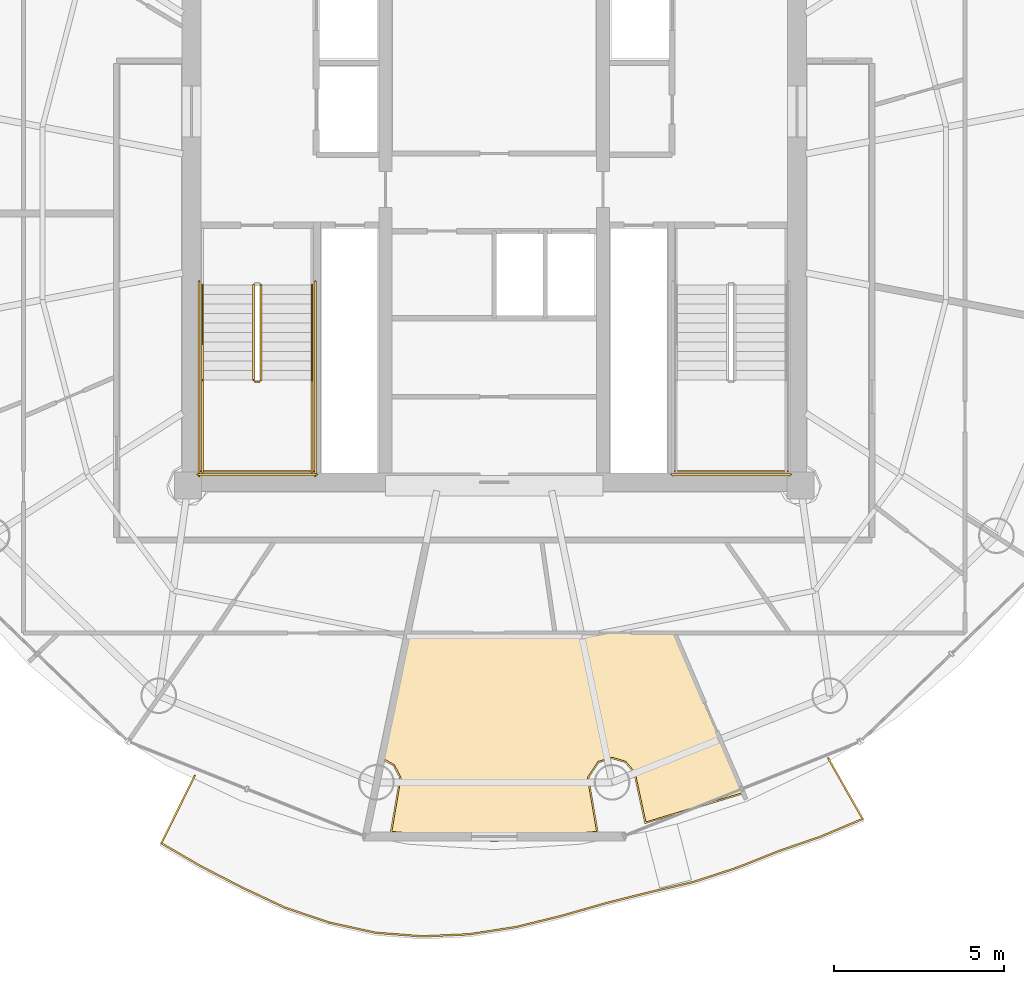
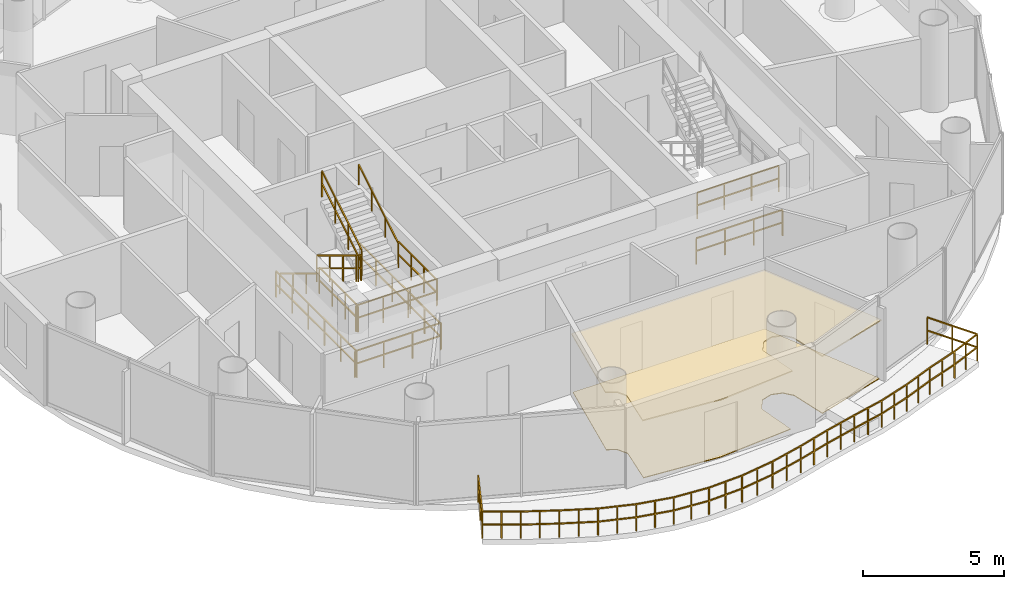
# One storey, part 21 of 23: 14 railings, 2 coverings.
"""IFC4 building model written with IfcOpenShell, lengths in metres."""

import ifcopenshell
import ifcopenshell.guid

model = None  # the IFC model being written
_history = None  # IfcOwnerHistory: only IFC2X3 demands one
_inside = {}  # id of a spatial element -> (the spatial element, [elements in it])
_under = {}  # id of a project, library or spatial element -> (it, [spatial elements below it])
_declared = {}  # id of a project -> (the project, [libraries it declares])
_typed = {}  # id of a type object -> (the type object, [elements of that type])
_made_of = {}  # id of a material, layer set ... -> (it, [elements and type objects made of it])


def new_model(schema):
    """Start an empty IFC model of exactly this schema.

    Asked for "IFC4X3", IfcOpenShell would pick the latest addendum, in which some entities
    have other attributes; the version numbers below select the first issue.
    IFC2X3 requires an IfcOwnerHistory on every rooted entity: one is made here for all.
    """
    global model, _history
    if schema == "IFC4X3":
        model = ifcopenshell.file(schema_version=(4, 3, 0, 0))
    else:
        model = ifcopenshell.file(schema=schema)
    _inside.clear()
    _under.clear()
    _declared.clear()
    _typed.clear()
    _made_of.clear()
    _history = None
    if model.schema == "IFC2X3":
        org = make("IfcOrganization", Name="unknown")
        user = make(
            "IfcPersonAndOrganization",
            ThePerson=make("IfcPerson", FamilyName="unknown"),
            TheOrganization=org,
        )
        app = make(
            "IfcApplication",
            ApplicationDeveloper=org,
            Version="unknown",
            ApplicationFullName="unknown",
            ApplicationIdentifier="unknown",
        )
        _history = make(
            "IfcOwnerHistory",
            OwningUser=user,
            OwningApplication=app,
            ChangeAction="ADDED",
            CreationDate=0,
        )
    return model


def make(cls, **values):
    """One entity of the class cls with the attributes given. An attribute that is None is left unset."""
    return model.create_entity(
        cls, **{name: value for name, value in values.items() if value is not None}
    )


def rooted(cls, **values):
    """An entity with a GlobalId (a new one), such as an element, a storey or a relation."""
    return make(cls, GlobalId=ifcopenshell.guid.new(), OwnerHistory=_history, **values)


def si_unit(unit_type, name, prefix=None):
    """IfcSIUnit, for example si_unit("LENGTHUNIT", "METRE", prefix="MILLI")."""
    return make("IfcSIUnit", UnitType=unit_type, Prefix=prefix, Name=name)


def assignment(units):
    """IfcUnitAssignment: the units of a project."""
    return None if units is None else make("IfcUnitAssignment", Units=units)


def point(xyz):
    """IfcCartesianPoint."""
    return None if xyz is None else make("IfcCartesianPoint", Coordinates=xyz)


def direction(xyz):
    """IfcDirection."""
    return None if xyz is None else make("IfcDirection", DirectionRatios=xyz)


def frame(location, z_axis=None, x_axis=None):
    """IfcAxis2Placement3D, a coordinate frame: its origin and axes. An axis left out is left unset."""
    return make(
        "IfcAxis2Placement3D",
        Location=point(location),
        Axis=direction(z_axis),
        RefDirection=direction(x_axis),
    )


def frame_2d(location, x_axis=None):
    """IfcAxis2Placement2D, a coordinate frame in the plane: its origin and x axis."""
    return make(
        "IfcAxis2Placement2D", Location=point(location), RefDirection=direction(x_axis)
    )


def origin():
    """The frame at (0, 0, 0) with its axes left unset."""
    return frame((0.0, 0.0, 0.0))


def origin_2d():
    """The frame at (0, 0) in the plane with its x axis left unset."""
    return frame_2d((0.0, 0.0))


def place(relative_to, where):
    """IfcLocalPlacement: puts the frame where relative to a parent placement (None: the world)."""
    return make(
        "IfcLocalPlacement", PlacementRelTo=relative_to, RelativePlacement=where
    )


def context(
    kind, dimensions, precision=None, world=None, true_north=None, identifier=None
):
    """IfcGeometricRepresentationContext, for example the 3D "Model" context."""
    return make(
        "IfcGeometricRepresentationContext",
        ContextIdentifier=identifier,
        ContextType=kind,
        CoordinateSpaceDimension=dimensions,
        Precision=precision,
        WorldCoordinateSystem=world,
        TrueNorth=true_north,
    )


def subcontext(parent, identifier, kind, view, scale=None):
    """IfcGeometricRepresentationSubContext, for example "Body" below "Model"."""
    return make(
        "IfcGeometricRepresentationSubContext",
        ContextIdentifier=identifier,
        ContextType=kind,
        ParentContext=parent,
        TargetScale=scale,
        TargetView=view,
    )


def project(units=None, contexts=None):
    """IfcProject with its units and contexts."""
    return rooted(
        "IfcProject",
        Name="project",
        RepresentationContexts=contexts,
        UnitsInContext=assignment(units),
    )


def spatial(cls, under=None, at=None, **own):
    """A site, building, storey or space (cls), placed at a placement, below another one or the project."""
    s = rooted(cls, ObjectPlacement=at, **own)
    if under is not None:
        _under.setdefault(under.id(), (under, []))[1].append(s)
    return s


def polyline(points):
    """IfcPolyline through the points."""
    return make("IfcPolyline", Points=[point(p) for p in points])


def profile(cls, at=None, kind="AREA", **sizes):
    """A parametric profile (cls). Its sizes go by their IFC names, for example OverallWidth=200.0."""
    return make(cls, ProfileType=kind, Position=at, **sizes)


def rectangle(**sizes):
    """IfcRectangleProfileDef."""
    return profile("IfcRectangleProfileDef", **sizes)


def outline(outer, holes=None, kind="AREA"):
    """IfcArbitraryClosedProfileDef: a profile drawn as a closed curve; with holes, ...WithVoids."""
    if holes is None:
        return make("IfcArbitraryClosedProfileDef", ProfileType=kind, OuterCurve=outer)
    return make(
        "IfcArbitraryProfileDefWithVoids",
        ProfileType=kind,
        OuterCurve=outer,
        InnerCurves=holes,
    )


def extrude(swept, where, along, depth):
    """IfcExtrudedAreaSolid: the profile swept, set in the frame where, extruded along a direction by depth."""
    return make(
        "IfcExtrudedAreaSolid",
        SweptArea=swept,
        Position=where,
        ExtrudedDirection=direction(along),
        Depth=depth,
    )


def shape(context_of_items, identifier, shape_type, items):
    """IfcShapeRepresentation: the items that make up one representation, for example the "Body"."""
    return make(
        "IfcShapeRepresentation",
        ContextOfItems=context_of_items,
        RepresentationIdentifier=identifier,
        RepresentationType=shape_type,
        Items=items,
    )


def material(Name=None, Category=None):
    """IfcMaterial."""
    return make("IfcMaterial", Name=Name, Category=Category)


def layer(
    of_material, thickness, ventilated=None, Name=None, Category=None, Priority=None
):
    """IfcMaterialLayer: one layer of a wall or slab, of a material (None: an air gap)."""
    return make(
        "IfcMaterialLayer",
        Material=of_material,
        LayerThickness=thickness,
        IsVentilated=ventilated,
        Name=Name,
        Category=Category,
        Priority=Priority,
    )


def layer_set(layers, Name=None):
    """IfcMaterialLayerSet."""
    return make("IfcMaterialLayerSet", MaterialLayers=layers, LayerSetName=Name)


def made_of(thing, what):
    """Note that an element or type object is made of a material, layer set ...; save() writes the relation."""
    if what is not None:
        _made_of.setdefault(what.id(), (what, []))[1].append(thing)
    return thing


def type_object(cls, material=None, **own):
    """A type object (cls), such as IfcWallType, which elements share."""
    return made_of(rooted(cls, **own), material)


def element(
    cls,
    number,
    at=None,
    inside=None,
    cuts=None,
    type_object=None,
    material=None,
    context=None,
    identifier="Body",
    shape_type=None,
    held_by="IfcProductDefinitionShape",
    body=None,
    shapes=None,
    **own,
):
    """One element of the class cls, such as IfcWall. Its Tag is "e" and its number.

    at: its placement. inside: the storey or other place that contains it. cuts: it is an
    opening in that element (IfcRelVoidsElement). A single representation is given by context,
    identifier, shape_type and body (its items); several are given by shapes. held_by: the class
    of the entity that holds the representations. save() writes the other relations.
    """
    e = rooted(cls, Tag="e%d" % number, ObjectPlacement=at, **own)
    if body is not None:
        shapes = [shape(context, identifier, shape_type, body)]
    if shapes is not None:
        e.Representation = make(held_by, Representations=shapes)
    if inside is not None:
        _inside.setdefault(inside.id(), (inside, []))[1].append(e)
    if cuts is not None:
        rooted(
            "IfcRelVoidsElement", RelatingBuildingElement=cuts, RelatedOpeningElement=e
        )
    if type_object is not None:
        _typed.setdefault(type_object.id(), (type_object, []))[1].append(e)
    return made_of(e, material)


def aggregate(whole, parts):
    """IfcRelAggregates: a whole, such as a stair, and the parts it consists of."""
    return rooted("IfcRelAggregates", RelatingObject=whole, RelatedObjects=parts)


def save(model, path):
    """Write the relations noted so far, then the file.

    IfcRelAggregates (storeys below a building ...), IfcRelContainedInSpatialStructure (elements
    in a storey), IfcRelDefinesByType, IfcRelAssociatesMaterial and IfcRelDeclares: one each for
    every whole, place, type object, material and project.
    """
    for whole, parts in _under.values():
        aggregate(whole, parts)
    for where, things in _inside.values():
        rooted(
            "IfcRelContainedInSpatialStructure",
            RelatedElements=things,
            RelatingStructure=where,
        )
    for kind, things in _typed.values():
        rooted("IfcRelDefinesByType", RelatedObjects=things, RelatingType=kind)
    for what, things in _made_of.values():
        rooted("IfcRelAssociatesMaterial", RelatedObjects=things, RelatingMaterial=what)
    for by, libraries in _declared.values():
        rooted("IfcRelDeclares", RelatingContext=by, RelatedDefinitions=libraries)
    model.write(path)


model = new_model("IFC4")

# Units and contexts
model_context = context("Model", 3, precision=1e-05, world=origin(), true_north=direction((-0.2419218956, 0.970295726276)))
body_context = subcontext(model_context, "Body", "Model", "MODEL_VIEW")
ifc_project = project(units=[si_unit("LENGTHUNIT", "METRE"), si_unit("AREAUNIT", "SQUARE_METRE"), si_unit("VOLUMEUNIT", "CUBIC_METRE"), si_unit("PLANEANGLEUNIT", "RADIAN"), si_unit("MASSUNIT", "GRAM", prefix="KILO")], contexts=[model_context])

# Site, building, storey
site_placement = place(None, origin())
site = spatial("IfcSite", under=ifc_project, at=site_placement, CompositionType="ELEMENT")
building_placement = place(site_placement, origin())
building = spatial("IfcBuilding", under=site, at=building_placement, Name="Cobrevalo Terracotta Tower", CompositionType="ELEMENT")
storey_placement = place(building_placement, frame((0.0, 0.0, 266.949951171875)))
storey = spatial("IfcBuildingStorey", under=building, at=storey_placement, Name="L70", CompositionType="ELEMENT", Elevation=266.949951171875)

# Railing
ifc_material_1 = material(Name="Laminated structural glass and stainless steel", Category="steel")
railing_type_1 = type_object("IfcRailingType", Name="Balcony lobe structural glass & terracotta-cap balustrade 1180 mm", PredefinedType="BALUSTRADE", material=ifc_material_1)
railing_1_placement = place(storey_placement, frame((29.19970703125, 10.277099609375, 0.0)))
element("IfcRailing", 1, at=railing_1_placement, inside=storey, type_object=railing_type_1, Name="L70 spiralling balcony lobe balustrade 2", PredefinedType="BALUSTRADE", context=body_context, shape_type="SweptSolid", body=[
    extrude(rectangle(XDim=0.048095703125, YDim=0.048095703125, at=origin_2d()), frame((0.0, 0.0, 1.15576171875), z_axis=(-0.443558457794, -0.896245443235, 0.0), x_axis=(0.896245443235, -0.443558457794, 0.0)), (0.0, 0.0, 1.0), 2.2197265625),
    extrude(rectangle(XDim=0.048095703125, YDim=0.048095703125, at=origin_2d()), frame((0.0, 0.0, 0.58984375), z_axis=(-0.443558457794, -0.896245443235, 0.0), x_axis=(0.896245443235, -0.443558457794, 0.0)), (0.0, 0.0, 1.0), 2.2197265625),
    extrude(rectangle(XDim=0.048095703125, YDim=0.048095703125, at=origin_2d()), frame((-0.984619140625, -1.989501953125, 1.15576171875), z_axis=(0.864105865259, -0.503310096884, 0.0), x_axis=(0.503310096884, 0.864105865259, 0.0)), (0.0, 0.0, 1.0), 1.353271484375),
    extrude(rectangle(XDim=0.048095703125, YDim=0.048095703125, at=origin_2d()), frame((-0.984619140625, -1.989501953125, 0.58984375), z_axis=(0.864105865259, -0.503310096884, 0.0), x_axis=(0.503310096884, 0.864105865259, 0.0)), (0.0, 0.0, 1.0), 1.353271484375),
    extrude(rectangle(XDim=0.048095703125, YDim=0.048095703125, at=origin_2d()), frame((0.184814453125, -2.670654296875, 1.15576171875), z_axis=(0.889358520321, -0.457210479247, 0.0), x_axis=(0.457210479247, 0.889358520321, 0.0)), (0.0, 0.0, 1.0), 1.36376953125),
    extrude(rectangle(XDim=0.048095703125, YDim=0.048095703125, at=origin_2d()), frame((0.184814453125, -2.670654296875, 0.58984375), z_axis=(0.889358520321, -0.457210479247, 0.0), x_axis=(0.457210479247, 0.889358520321, 0.0)), (0.0, 0.0, 1.0), 1.36376953125),
    extrude(rectangle(XDim=0.048095703125, YDim=0.048095703125, at=origin_2d()), frame((1.397705078125, -3.294189453125, 1.15576171875), z_axis=(0.905254986082, -0.424868697569, 0.0), x_axis=(0.424868697569, 0.905254986082, 0.0)), (0.0, 0.0, 1.0), 1.380859375),
    extrude(rectangle(XDim=0.048095703125, YDim=0.048095703125, at=origin_2d()), frame((1.397705078125, -3.294189453125, 0.58984375), z_axis=(0.905254986082, -0.424868697569, 0.0), x_axis=(0.424868697569, 0.905254986082, 0.0)), (0.0, 0.0, 1.0), 1.380859375),
    extrude(rectangle(XDim=0.048095703125, YDim=0.048095703125, at=origin_2d()), frame((2.647705078125, -3.880859375, 1.15576171875), z_axis=(0.947563883019, -0.319566405614, 0.0), x_axis=(0.319566405614, 0.947563883019, 0.0)), (0.0, 0.0, 1.0), 1.38134765625),
    extrude(rectangle(XDim=0.048095703125, YDim=0.048095703125, at=origin_2d()), frame((2.647705078125, -3.880859375, 0.58984375), z_axis=(0.947563883019, -0.319566405614, 0.0), x_axis=(0.319566405614, 0.947563883019, 0.0)), (0.0, 0.0, 1.0), 1.38134765625),
    extrude(rectangle(XDim=0.048095703125, YDim=0.048095703125, at=origin_2d()), frame((3.95654296875, -4.322265625, 1.15576171875), z_axis=(0.97673534177, -0.21444829712, 0.0), x_axis=(0.21444829712, 0.97673534177, 0.0)), (0.0, 0.0, 1.0), 1.385498046875),
    extrude(rectangle(XDim=0.048095703125, YDim=0.048095703125, at=origin_2d()), frame((3.95654296875, -4.322265625, 0.58984375), z_axis=(0.97673534177, -0.21444829712, 0.0), x_axis=(0.21444829712, 0.97673534177, 0.0)), (0.0, 0.0, 1.0), 1.385498046875),
    extrude(rectangle(XDim=0.048095703125, YDim=0.048095703125, at=origin_2d()), frame((5.309814453125, -4.619384765625, 1.15576171875), z_axis=(0.996995023064, -0.077465630996, 0.0), x_axis=(0.077465630996, 0.996995023064, 0.0)), (0.0, 0.0, 1.0), 1.383544921875),
    extrude(rectangle(XDim=0.048095703125, YDim=0.048095703125, at=origin_2d()), frame((5.309814453125, -4.619384765625, 0.58984375), z_axis=(0.996995023064, -0.077465630996, 0.0), x_axis=(0.077465630996, 0.996995023064, 0.0)), (0.0, 0.0, 1.0), 1.383544921875),
    extrude(rectangle(XDim=0.048095703125, YDim=0.048095703125, at=origin_2d()), frame((6.689208984375, -4.7265625, 1.15576171875), z_axis=(0.998960175599, 0.045591310217, 0.0), x_axis=(-0.045591310217, 0.998960175599, 0.0)), (0.0, 0.0, 1.0), 1.386962890625),
    extrude(rectangle(XDim=0.048095703125, YDim=0.048095703125, at=origin_2d()), frame((6.689208984375, -4.7265625, 0.58984375), z_axis=(0.998960175599, 0.045591310217, 0.0), x_axis=(-0.045591310217, 0.998960175599, 0.0)), (0.0, 0.0, 1.0), 1.386962890625),
    extrude(rectangle(XDim=0.048095703125, YDim=0.048095703125, at=origin_2d()), frame((8.07470703125, -4.663330078125, 1.15576171875), z_axis=(0.988224164346, 0.153013074615, 0.0), x_axis=(-0.153013074615, 0.988224164346, 0.0)), (0.0, 0.0, 1.0), 1.3818359375),
    extrude(rectangle(XDim=0.048095703125, YDim=0.048095703125, at=origin_2d()), frame((8.07470703125, -4.663330078125, 0.58984375), z_axis=(0.988224164346, 0.153013074615, 0.0), x_axis=(-0.153013074615, 0.988224164346, 0.0)), (0.0, 0.0, 1.0), 1.3818359375),
    extrude(rectangle(XDim=0.048095703125, YDim=0.048095703125, at=origin_2d()), frame((9.440185546875, -4.451904296875, 1.15576171875), z_axis=(0.971371717498, 0.237564699494, 0.0), x_axis=(-0.237564699494, 0.971371717498, 0.0)), (0.0, 0.0, 1.0), 1.3759765625),
    extrude(rectangle(XDim=0.048095703125, YDim=0.048095703125, at=origin_2d()), frame((9.440185546875, -4.451904296875, 0.58984375), z_axis=(0.971371717498, 0.237564699494, 0.0), x_axis=(-0.237564699494, 0.971371717498, 0.0)), (0.0, 0.0, 1.0), 1.3759765625),
    extrude(rectangle(XDim=0.048095703125, YDim=0.048095703125, at=origin_2d()), frame((10.77685546875, -4.125, 1.15576171875), z_axis=(0.9611010147, 0.276197102705, 0.0), x_axis=(-0.276197102705, 0.9611010147, 0.0)), (0.0, 0.0, 1.0), 1.354248046875),
    extrude(rectangle(XDim=0.048095703125, YDim=0.048095703125, at=origin_2d()), frame((10.77685546875, -4.125, 0.58984375), z_axis=(0.9611010147, 0.276197102705, 0.0), x_axis=(-0.276197102705, 0.9611010147, 0.0)), (0.0, 0.0, 1.0), 1.354248046875),
    extrude(rectangle(XDim=0.048095703125, YDim=0.048095703125, at=origin_2d()), frame((12.078369140625, -3.7509765625, 1.15576171875), z_axis=(0.970185621417, 0.242363074738, 0.0), x_axis=(-0.242363074738, 0.970185621417, 0.0)), (0.0, 0.0, 1.0), 1.331787109375),
    extrude(rectangle(XDim=0.048095703125, YDim=0.048095703125, at=origin_2d()), frame((12.078369140625, -3.7509765625, 0.58984375), z_axis=(0.970185621417, 0.242363074738, 0.0), x_axis=(-0.242363074738, 0.970185621417, 0.0)), (0.0, 0.0, 1.0), 1.331787109375),
    extrude(rectangle(XDim=0.048095703125, YDim=0.048095703125, at=origin_2d()), frame((13.370361328125, -3.42822265625, 1.15576171875), z_axis=(0.973605429616, 0.228237743205, 0.0), x_axis=(-0.228237743205, 0.973605429616, 0.0)), (0.0, 0.0, 1.0), 1.32421875),
    extrude(rectangle(XDim=0.048095703125, YDim=0.048095703125, at=origin_2d()), frame((13.370361328125, -3.42822265625, 0.58984375), z_axis=(0.973605429616, 0.228237743205, 0.0), x_axis=(-0.228237743205, 0.973605429616, 0.0)), (0.0, 0.0, 1.0), 1.32421875),
    extrude(rectangle(XDim=0.048095703125, YDim=0.048095703125, at=origin_2d()), frame((14.65966796875, -3.1259765625, 1.15576171875), z_axis=(0.950799488594, 0.309806927762, 0.0), x_axis=(-0.309806927762, 0.950799488594, 0.0)), (0.0, 0.0, 1.0), 1.32470703125),
    extrude(rectangle(XDim=0.048095703125, YDim=0.048095703125, at=origin_2d()), frame((14.65966796875, -3.1259765625, 0.58984375), z_axis=(0.950799488594, 0.309806927762, 0.0), x_axis=(-0.309806927762, 0.950799488594, 0.0)), (0.0, 0.0, 1.0), 1.32470703125),
    extrude(rectangle(XDim=0.048095703125, YDim=0.048095703125, at=origin_2d()), frame((15.919189453125, -2.715576171875, 1.15576171875), z_axis=(0.928795029815, 0.370593837767, 0.0), x_axis=(-0.370593837767, 0.928795029815, 0.0)), (0.0, 0.0, 1.0), 1.32080078125),
    extrude(rectangle(XDim=0.048095703125, YDim=0.048095703125, at=origin_2d()), frame((15.919189453125, -2.715576171875, 0.58984375), z_axis=(0.928795029815, 0.370593837767, 0.0), x_axis=(-0.370593837767, 0.928795029815, 0.0)), (0.0, 0.0, 1.0), 1.32080078125),
    extrude(rectangle(XDim=0.048095703125, YDim=0.048095703125, at=origin_2d()), frame((17.14599609375, -2.22607421875, 1.15576171875), z_axis=(0.945304609159, 0.326188896045, 0.0), x_axis=(-0.326188896045, 0.945304609159, 0.0)), (0.0, 0.0, 1.0), 1.32861328125),
    extrude(rectangle(XDim=0.048095703125, YDim=0.048095703125, at=origin_2d()), frame((17.14599609375, -2.22607421875, 0.58984375), z_axis=(0.945304609159, 0.326188896045, 0.0), x_axis=(-0.326188896045, 0.945304609159, 0.0)), (0.0, 0.0, 1.0), 1.32861328125),
    extrude(rectangle(XDim=0.048095703125, YDim=0.048095703125, at=origin_2d()), frame((18.40185546875, -1.792724609375, 1.15576171875), z_axis=(0.92115915726, 0.389186082737, 0.0), x_axis=(-0.389186082737, 0.92115915726, 0.0)), (0.0, 0.0, 1.0), 1.333740234375),
    extrude(rectangle(XDim=0.048095703125, YDim=0.048095703125, at=origin_2d()), frame((18.40185546875, -1.792724609375, 0.58984375), z_axis=(0.92115915726, 0.389186082737, 0.0), x_axis=(-0.389186082737, 0.92115915726, 0.0)), (0.0, 0.0, 1.0), 1.333740234375),
    extrude(rectangle(XDim=0.048095703125, YDim=0.048095703125, at=origin_2d()), frame((19.63037109375, -1.273681640625, 1.15576171875), z_axis=(-0.494920989091, 0.868937980846, 0.0), x_axis=(-0.868937980846, -0.494920989091, 0.0)), (0.0, 0.0, 1.0), 2.051513671875),
    extrude(rectangle(XDim=0.048095703125, YDim=0.048095703125, at=origin_2d()), frame((19.63037109375, -1.273681640625, 0.58984375), z_axis=(-0.494920989091, 0.868937980846, 0.0), x_axis=(-0.868937980846, -0.494920989091, 0.0)), (0.0, 0.0, 1.0), 2.051513671875),
    extrude(rectangle(XDim=0.0419921875, YDim=0.0419921875, at=origin_2d()), origin(), (0.0, 0.0, 1.0), 1.1318359375),
    extrude(rectangle(XDim=0.0419921875, YDim=0.0419921875, at=origin_2d()), frame((-0.4921875, -0.99462890625, 0.0)), (0.0, 0.0, 1.0), 1.1318359375),
    extrude(rectangle(XDim=0.0419921875, YDim=0.0419921875, at=origin_2d()), frame((-0.984619140625, -1.989501953125, 0.0)), (0.0, 0.0, 1.0), 1.1318359375),
    extrude(rectangle(XDim=0.0419921875, YDim=0.0419921875, at=origin_2d()), frame((-0.39990234375, -2.330078125, 0.0)), (0.0, 0.0, 1.0), 1.1318359375),
    extrude(rectangle(XDim=0.0419921875, YDim=0.0419921875, at=origin_2d()), frame((0.184814453125, -2.670654296875, 0.0)), (0.0, 0.0, 1.0), 1.1318359375),
    extrude(rectangle(XDim=0.0419921875, YDim=0.0419921875, at=origin_2d()), frame((0.791259765625, -2.982421875, 0.0)), (0.0, 0.0, 1.0), 1.1318359375),
    extrude(rectangle(XDim=0.0419921875, YDim=0.0419921875, at=origin_2d()), frame((1.397705078125, -3.294189453125, 0.0)), (0.0, 0.0, 1.0), 1.1318359375),
    extrude(rectangle(XDim=0.0419921875, YDim=0.0419921875, at=origin_2d()), frame((2.022705078125, -3.58740234375, 0.0)), (0.0, 0.0, 1.0), 1.1318359375),
    extrude(rectangle(XDim=0.0419921875, YDim=0.0419921875, at=origin_2d()), frame((2.647705078125, -3.880859375, 0.0)), (0.0, 0.0, 1.0), 1.1318359375),
    extrude(rectangle(XDim=0.0419921875, YDim=0.0419921875, at=origin_2d()), frame((3.30224609375, -4.1015625, 0.0)), (0.0, 0.0, 1.0), 1.1318359375),
    extrude(rectangle(XDim=0.0419921875, YDim=0.0419921875, at=origin_2d()), frame((3.95654296875, -4.322265625, 0.0)), (0.0, 0.0, 1.0), 1.1318359375),
    extrude(rectangle(XDim=0.0419921875, YDim=0.0419921875, at=origin_2d()), frame((4.63330078125, -4.470703125, 0.0)), (0.0, 0.0, 1.0), 1.1318359375),
    extrude(rectangle(XDim=0.0419921875, YDim=0.0419921875, at=origin_2d()), frame((5.309814453125, -4.619384765625, 0.0)), (0.0, 0.0, 1.0), 1.1318359375),
    extrude(rectangle(XDim=0.0419921875, YDim=0.0419921875, at=origin_2d()), frame((5.99951171875, -4.6728515625, 0.0)), (0.0, 0.0, 1.0), 1.1318359375),
    extrude(rectangle(XDim=0.0419921875, YDim=0.0419921875, at=origin_2d()), frame((6.689208984375, -4.7265625, 0.0)), (0.0, 0.0, 1.0), 1.1318359375),
    extrude(rectangle(XDim=0.0419921875, YDim=0.0419921875, at=origin_2d()), frame((7.3818359375, -4.69482421875, 0.0)), (0.0, 0.0, 1.0), 1.1318359375),
    extrude(rectangle(XDim=0.0419921875, YDim=0.0419921875, at=origin_2d()), frame((8.07470703125, -4.663330078125, 0.0)), (0.0, 0.0, 1.0), 1.1318359375),
    extrude(rectangle(XDim=0.0419921875, YDim=0.0419921875, at=origin_2d()), frame((8.75732421875, -4.5576171875, 0.0)), (0.0, 0.0, 1.0), 1.1318359375),
    extrude(rectangle(XDim=0.0419921875, YDim=0.0419921875, at=origin_2d()), frame((9.440185546875, -4.451904296875, 0.0)), (0.0, 0.0, 1.0), 1.1318359375),
    extrude(rectangle(XDim=0.0419921875, YDim=0.0419921875, at=origin_2d()), frame((10.1083984375, -4.28857421875, 0.0)), (0.0, 0.0, 1.0), 1.1318359375),
    extrude(rectangle(XDim=0.0419921875, YDim=0.0419921875, at=origin_2d()), frame((10.77685546875, -4.125, 0.0)), (0.0, 0.0, 1.0), 1.1318359375),
    extrude(rectangle(XDim=0.0419921875, YDim=0.0419921875, at=origin_2d()), frame((11.427734375, -3.93798828125, 0.0)), (0.0, 0.0, 1.0), 1.1318359375),
    extrude(rectangle(XDim=0.0419921875, YDim=0.0419921875, at=origin_2d()), frame((12.078369140625, -3.7509765625, 0.0)), (0.0, 0.0, 1.0), 1.1318359375),
    extrude(rectangle(XDim=0.0419921875, YDim=0.0419921875, at=origin_2d()), frame((12.724365234375, -3.589599609375, 0.0)), (0.0, 0.0, 1.0), 1.1318359375),
    extrude(rectangle(XDim=0.0419921875, YDim=0.0419921875, at=origin_2d()), frame((13.370361328125, -3.42822265625, 0.0)), (0.0, 0.0, 1.0), 1.1318359375),
    extrude(rectangle(XDim=0.0419921875, YDim=0.0419921875, at=origin_2d()), frame((14.01513671875, -3.277099609375, 0.0)), (0.0, 0.0, 1.0), 1.1318359375),
    extrude(rectangle(XDim=0.0419921875, YDim=0.0419921875, at=origin_2d()), frame((14.65966796875, -3.1259765625, 0.0)), (0.0, 0.0, 1.0), 1.1318359375),
    extrude(rectangle(XDim=0.0419921875, YDim=0.0419921875, at=origin_2d()), frame((15.28955078125, -2.9208984375, 0.0)), (0.0, 0.0, 1.0), 1.1318359375),
    extrude(rectangle(XDim=0.0419921875, YDim=0.0419921875, at=origin_2d()), frame((15.919189453125, -2.715576171875, 0.0)), (0.0, 0.0, 1.0), 1.1318359375),
    extrude(rectangle(XDim=0.0419921875, YDim=0.0419921875, at=origin_2d()), frame((16.53271484375, -2.470703125, 0.0)), (0.0, 0.0, 1.0), 1.1318359375),
    extrude(rectangle(XDim=0.0419921875, YDim=0.0419921875, at=origin_2d()), frame((17.14599609375, -2.22607421875, 0.0)), (0.0, 0.0, 1.0), 1.1318359375),
    extrude(rectangle(XDim=0.0419921875, YDim=0.0419921875, at=origin_2d()), frame((17.77392578125, -2.00927734375, 0.0)), (0.0, 0.0, 1.0), 1.1318359375),
    extrude(rectangle(XDim=0.0419921875, YDim=0.0419921875, at=origin_2d()), frame((18.40185546875, -1.792724609375, 0.0)), (0.0, 0.0, 1.0), 1.1318359375),
    extrude(rectangle(XDim=0.0419921875, YDim=0.0419921875, at=origin_2d()), frame((19.01611328125, -1.533203125, 0.0)), (0.0, 0.0, 1.0), 1.1318359375),
    extrude(rectangle(XDim=0.0419921875, YDim=0.0419921875, at=origin_2d()), frame((19.63037109375, -1.273681640625, 0.0)), (0.0, 0.0, 1.0), 1.1318359375),
    extrude(rectangle(XDim=0.0419921875, YDim=0.0419921875, at=origin_2d()), frame((19.12255859375, -0.38232421875, 0.0)), (0.0, 0.0, 1.0), 1.1318359375),
    extrude(rectangle(XDim=0.0419921875, YDim=0.0419921875, at=origin_2d()), frame((18.614990234375, 0.509033203125, 0.0)), (0.0, 0.0, 1.0), 1.1318359375),
])

# Coverings
ifc_material_2 = material(Name="Engineered Brazilian hardwood flooring", Category="wood")
ifc_layer_1 = layer(ifc_material_2, 0.028076171875)
ifc_layer_set_1 = layer_set([ifc_layer_1], Name="Engineered Brazilian hardwood flooring")
covering_type_1 = type_object("IfcCoveringType", Name="Engineered Hardwood Suite Flooring 28", PredefinedType="FLOORING", material=ifc_layer_set_1)
covering_1_placement = place(storey_placement, origin())
element("IfcCovering", 2, at=covering_1_placement, inside=storey, type_object=covering_type_1, Name="Flat L70C Living and Dining Room floor finish", PredefinedType="FLOORING", context=body_context, shape_type="SweptSolid", body=[
    extrude(outline(polyline([(42.45947265625, 8.9140625), (42.144287109375, 10.3662109375), (41.869140625, 10.6962890625), (41.45703125, 10.817626953125), (41.046875, 10.689697265625), (40.73583984375, 10.21630859375), (41.005859375, 8.635498046875), (38.0, 8.380126953125), (34.994140625, 8.635498046875), (35.26416015625, 10.21630859375), (35.064453125, 10.596923828125), (34.71728515625, 10.79296875), (35.470947265625, 14.445068359375), (43.287353515625, 14.445068359375), (45.294189453125, 9.77490234375), (42.45947265625, 8.9140625)])), origin(), (0.0, 0.0, 1.0), 0.030029296875),
])
ifc_material_3 = material(Name="Acoustic perforated gypsum ceiling", Category="gypsum")
ifc_layer_2 = layer(ifc_material_3, 0.050048828125)
ifc_layer_set_2 = layer_set([ifc_layer_2], Name="Acoustic perforated gypsum ceiling")
covering_type_2 = type_object("IfcCoveringType", Name="Perforated Acoustic Gypsum Ceiling 50", PredefinedType="CEILING", material=ifc_layer_set_2)
covering_2_placement = place(storey_placement, frame((0.0, 0.0, 2.5)))
element("IfcCovering", 3, at=covering_2_placement, inside=storey, type_object=covering_type_2, Name="Flat L70C Living and Dining Room acoustic ceiling", PredefinedType="CEILING", context=body_context, shape_type="SweptSolid", body=[
    extrude(outline(polyline([(42.424560546875, 8.861328125), (42.102783203125, 10.3486328125), (41.84423828125, 10.658447265625), (41.45751953125, 10.7724609375), (41.072265625, 10.65234375), (40.7802734375, 10.207763671875), (41.05908203125, 8.599853515625), (38.0, 8.3349609375), (34.94091796875, 8.599853515625), (35.2197265625, 10.207763671875), (35.0322265625, 10.565185546875), (34.6650390625, 10.76220703125), (35.43408203125, 14.489990234375), (43.317138671875, 14.489990234375), (45.35498046875, 9.747314453125), (42.424560546875, 8.861328125)])), origin(), (0.0, 0.0, 1.0), 0.050048828125),
])

# Railings
ifc_material_4 = material(Name="Brushed stainless steel", Category="steel")
railing_type_2 = type_object("IfcRailingType", Name="Stainless Steel Stair Handrail 900", PredefinedType="HANDRAIL", material=ifc_material_4)
railing_2_placement = place(storey_placement, frame((29.425048828125, 24.699951171875, 0.17041015625)))
element("IfcRailing", 4, at=railing_2_placement, inside=storey, type_object=railing_type_2, Name="L70 ST-1 stair handrail 1", PredefinedType="HANDRAIL", context=body_context, shape_type="SweptSolid", body=[
    extrude(rectangle(XDim=0.048095703125, YDim=0.048095703125, at=origin_2d()), frame((0.0, 0.0, 0.8759765625), z_axis=(0.0, -0.854169791009, 0.51999420009), x_axis=(1.0, 0.0, 0.0)), (0.0, 0.0, 1.0), 3.278076171875),
    extrude(rectangle(XDim=0.0419921875, YDim=0.0419921875, at=origin_2d()), origin(), (0.0, 0.0, 1.0), 0.851806640625),
    extrude(rectangle(XDim=0.0419921875, YDim=0.0419921875, at=origin_2d()), frame((0.0, -0.933349609375, 0.568115234375)), (0.0, 0.0, 1.0), 0.851806640625),
    extrude(rectangle(XDim=0.0419921875, YDim=0.0419921875, at=origin_2d()), frame((0.0, -1.86669921875, 1.136474609375)), (0.0, 0.0, 1.0), 0.851806640625),
    extrude(rectangle(XDim=0.0419921875, YDim=0.0419921875, at=origin_2d()), frame((0.0, -2.800048828125, 1.70458984375)), (0.0, 0.0, 1.0), 0.851806640625),
])
railing_3_placement = place(storey_placement, frame((32.64501953125, 21.89990234375, 2.04541015625)))
element("IfcRailing", 5, at=railing_3_placement, inside=storey, type_object=railing_type_2, Name="L70 ST-1 stair handrail 2", PredefinedType="HANDRAIL", context=body_context, shape_type="SweptSolid", body=[
    extrude(rectangle(XDim=0.048095703125, YDim=0.048095703125, at=origin_2d()), frame((0.0, 0.0, 0.8759765625), z_axis=(0.0, 0.854169791009, 0.51999420009), x_axis=(-1.0, 0.0, 0.0)), (0.0, 0.0, 1.0), 3.278076171875),
    extrude(rectangle(XDim=0.0419921875, YDim=0.0419921875, at=origin_2d()), origin(), (0.0, 0.0, 1.0), 0.851806640625),
    extrude(rectangle(XDim=0.0419921875, YDim=0.0419921875, at=origin_2d()), frame((0.0, 0.933349609375, 0.568115234375)), (0.0, 0.0, 1.0), 0.851806640625),
    extrude(rectangle(XDim=0.0419921875, YDim=0.0419921875, at=origin_2d()), frame((0.0, 1.86669921875, 1.136474609375)), (0.0, 0.0, 1.0), 0.851806640625),
    extrude(rectangle(XDim=0.0419921875, YDim=0.0419921875, at=origin_2d()), frame((0.0, 2.800048828125, 1.70458984375)), (0.0, 0.0, 1.0), 0.851806640625),
])
ifc_material_5 = material(Name="Painted galvanized steel", Category="steel")
railing_type_3 = type_object("IfcRailingType", Name="Stair Well Guard Balustrade 1150", PredefinedType="GUARDRAIL", material=ifc_material_5)
railing_4_placement = place(storey_placement, frame((30.925048828125, 24.699951171875, 0.17041015625)))
element("IfcRailing", 6, at=railing_4_placement, inside=storey, type_object=railing_type_3, Name="L70 ST-1 stair guard 1", PredefinedType="GUARDRAIL", context=body_context, shape_type="SweptSolid", body=[
    extrude(rectangle(XDim=0.048095703125, YDim=0.048095703125, at=origin_2d()), frame((0.0, 0.0, 1.1259765625), z_axis=(0.0, -0.854169791009, 0.51999420009), x_axis=(1.0, 0.0, 0.0)), (0.0, 0.0, 1.0), 3.278076171875),
    extrude(rectangle(XDim=0.048095703125, YDim=0.048095703125, at=origin_2d()), frame((0.0, 0.0, 0.574951171875), z_axis=(0.0, -0.854169791009, 0.51999420009), x_axis=(1.0, 0.0, 0.0)), (0.0, 0.0, 1.0), 3.278076171875),
    extrude(rectangle(XDim=0.0419921875, YDim=0.0419921875, at=origin_2d()), origin(), (0.0, 0.0, 1.0), 1.101806640625),
    extrude(rectangle(XDim=0.0419921875, YDim=0.0419921875, at=origin_2d()), frame((0.0, -0.933349609375, 0.568115234375)), (0.0, 0.0, 1.0), 1.101806640625),
    extrude(rectangle(XDim=0.0419921875, YDim=0.0419921875, at=origin_2d()), frame((0.0, -1.86669921875, 1.136474609375)), (0.0, 0.0, 1.0), 1.101806640625),
    extrude(rectangle(XDim=0.0419921875, YDim=0.0419921875, at=origin_2d()), frame((0.0, -2.800048828125, 1.70458984375)), (0.0, 0.0, 1.0), 1.101806640625),
])
railing_5_placement = place(storey_placement, frame((30.97509765625, 21.85009765625, 1.875)))
element("IfcRailing", 7, at=railing_5_placement, inside=storey, type_object=railing_type_3, Name="L70 ST-1 stair guard 2", PredefinedType="GUARDRAIL", context=body_context, shape_type="SweptSolid", body=[
    extrude(rectangle(XDim=0.048095703125, YDim=0.048095703125, at=origin_2d()), frame((0.0, 0.0, 1.1259765625), z_axis=(1.0, 0.0, 0.0), x_axis=(0.0, 1.0, 0.0)), (0.0, 0.0, 1.0), 0.119873046875),
    extrude(rectangle(XDim=0.048095703125, YDim=0.048095703125, at=origin_2d()), frame((0.0, 0.0, 0.574951171875), z_axis=(1.0, 0.0, 0.0), x_axis=(0.0, 1.0, 0.0)), (0.0, 0.0, 1.0), 0.119873046875),
    extrude(rectangle(XDim=0.0419921875, YDim=0.0419921875, at=origin_2d()), origin(), (0.0, 0.0, 1.0), 1.101806640625),
    extrude(rectangle(XDim=0.0419921875, YDim=0.0419921875, at=origin_2d()), frame((0.119873046875, 0.0, 0.0)), (0.0, 0.0, 1.0), 1.101806640625),
])
for number, where, name in (
    (8, (29.425048828125, 21.89990234375, 1.875), "L70 ST-1 stair guard 3"),
    (9, (32.64501953125, 21.89990234375, 1.875), "L70 ST-1 stair guard 4"),
):
    element("IfcRailing", number, at=place(storey_placement, frame(where)), inside=storey, type_object=railing_type_3, Name=name, PredefinedType="GUARDRAIL", context=body_context, shape_type="SweptSolid", body=[
        extrude(rectangle(XDim=0.048095703125, YDim=0.048095703125, at=origin_2d()), frame((0.0, 0.0, 1.1259765625), z_axis=(0.0, -1.0, 0.0), x_axis=(1.0, 0.0, 0.0)), (0.0, 0.0, 1.0), 2.724853515625),
        extrude(rectangle(XDim=0.048095703125, YDim=0.048095703125, at=origin_2d()), frame((0.0, 0.0, 0.574951171875), z_axis=(0.0, -1.0, 0.0), x_axis=(1.0, 0.0, 0.0)), (0.0, 0.0, 1.0), 2.724853515625),
        extrude(rectangle(XDim=0.0419921875, YDim=0.0419921875, at=origin_2d()), origin(), (0.0, 0.0, 1.0), 1.101806640625),
        extrude(rectangle(XDim=0.0419921875, YDim=0.0419921875, at=origin_2d()), frame((0.0, -0.908203125, 0.0)), (0.0, 0.0, 1.0), 1.101806640625),
        extrude(rectangle(XDim=0.0419921875, YDim=0.0419921875, at=origin_2d()), frame((0.0, -1.816650390625, 0.0)), (0.0, 0.0, 1.0), 1.101806640625),
        extrude(rectangle(XDim=0.0419921875, YDim=0.0419921875, at=origin_2d()), frame((0.0, -2.724853515625, 0.0)), (0.0, 0.0, 1.0), 1.101806640625),
    ])
railing_6_placement = place(storey_placement, frame((29.375, 19.22509765625, 1.875)))
element("IfcRailing", 10, at=railing_6_placement, inside=storey, type_object=railing_type_3, Name="L70 ST-1 stair guard 5", PredefinedType="GUARDRAIL", context=body_context, shape_type="SweptSolid", body=[
    extrude(rectangle(XDim=0.048095703125, YDim=0.048095703125, at=origin_2d()), frame((0.0, 0.0, 1.1259765625), z_axis=(1.0, 0.0, 0.0), x_axis=(0.0, 1.0, 0.0)), (0.0, 0.0, 1.0), 3.320068359375),
    extrude(rectangle(XDim=0.048095703125, YDim=0.048095703125, at=origin_2d()), frame((0.0, 0.0, 0.574951171875), z_axis=(1.0, 0.0, 0.0), x_axis=(0.0, 1.0, 0.0)), (0.0, 0.0, 1.0), 3.320068359375),
    extrude(rectangle(XDim=0.0419921875, YDim=0.0419921875, at=origin_2d()), origin(), (0.0, 0.0, 1.0), 1.101806640625),
    extrude(rectangle(XDim=0.0419921875, YDim=0.0419921875, at=origin_2d()), frame((1.106689453125, 0.0, 0.0)), (0.0, 0.0, 1.0), 1.101806640625),
    extrude(rectangle(XDim=0.0419921875, YDim=0.0419921875, at=origin_2d()), frame((2.21337890625, 0.0, 0.0)), (0.0, 0.0, 1.0), 1.101806640625),
    extrude(rectangle(XDim=0.0419921875, YDim=0.0419921875, at=origin_2d()), frame((3.320068359375, 0.0, 0.0)), (0.0, 0.0, 1.0), 1.101806640625),
])
railing_7_placement = place(storey_placement, frame((31.14501953125, 21.89990234375, 2.04541015625)))
element("IfcRailing", 11, at=railing_7_placement, inside=storey, type_object=railing_type_3, Name="L70 ST-1 stair guard 6", PredefinedType="GUARDRAIL", context=body_context, shape_type="SweptSolid", body=[
    extrude(rectangle(XDim=0.048095703125, YDim=0.048095703125, at=origin_2d()), frame((0.0, 0.0, 1.1259765625), z_axis=(0.0, 0.854169791009, 0.51999420009), x_axis=(-1.0, 0.0, 0.0)), (0.0, 0.0, 1.0), 3.278076171875),
    extrude(rectangle(XDim=0.048095703125, YDim=0.048095703125, at=origin_2d()), frame((0.0, 0.0, 0.574951171875), z_axis=(0.0, 0.854169791009, 0.51999420009), x_axis=(-1.0, 0.0, 0.0)), (0.0, 0.0, 1.0), 3.278076171875),
    extrude(rectangle(XDim=0.0419921875, YDim=0.0419921875, at=origin_2d()), origin(), (0.0, 0.0, 1.0), 1.101806640625),
    extrude(rectangle(XDim=0.0419921875, YDim=0.0419921875, at=origin_2d()), frame((0.0, 0.933349609375, 0.568115234375)), (0.0, 0.0, 1.0), 1.101806640625),
    extrude(rectangle(XDim=0.0419921875, YDim=0.0419921875, at=origin_2d()), frame((0.0, 1.86669921875, 1.136474609375)), (0.0, 0.0, 1.0), 1.101806640625),
    extrude(rectangle(XDim=0.0419921875, YDim=0.0419921875, at=origin_2d()), frame((0.0, 2.800048828125, 1.70458984375)), (0.0, 0.0, 1.0), 1.101806640625),
])
for number, where, name in (
    (12, (29.324951171875, 24.800048828125, 0.0), "L70 ST-1 stair guard 10"),
    (13, (32.7451171875, 24.800048828125, 0.0), "L70 ST-1 stair guard 11"),
):
    element("IfcRailing", number, at=place(storey_placement, frame(where)), inside=storey, type_object=railing_type_3, Name=name, PredefinedType="GUARDRAIL", context=body_context, shape_type="SweptSolid", body=[
        extrude(rectangle(XDim=0.048095703125, YDim=0.048095703125, at=origin_2d()), frame((0.0, 0.0, 1.1259765625), z_axis=(0.0, -1.0, 0.0), x_axis=(1.0, 0.0, 0.0)), (0.0, 0.0, 1.0), 5.72509765625),
        extrude(rectangle(XDim=0.048095703125, YDim=0.048095703125, at=origin_2d()), frame((0.0, 0.0, 0.574951171875), z_axis=(0.0, -1.0, 0.0), x_axis=(1.0, 0.0, 0.0)), (0.0, 0.0, 1.0), 5.72509765625),
        extrude(rectangle(XDim=0.0419921875, YDim=0.0419921875, at=origin_2d()), origin(), (0.0, 0.0, 1.0), 1.101806640625),
        extrude(rectangle(XDim=0.0419921875, YDim=0.0419921875, at=origin_2d()), frame((0.0, -1.14501953125, 0.0)), (0.0, 0.0, 1.0), 1.101806640625),
        extrude(rectangle(XDim=0.0419921875, YDim=0.0419921875, at=origin_2d()), frame((0.0, -2.2900390625, 0.0)), (0.0, 0.0, 1.0), 1.101806640625),
        extrude(rectangle(XDim=0.0419921875, YDim=0.0419921875, at=origin_2d()), frame((0.0, -3.43505859375, 0.0)), (0.0, 0.0, 1.0), 1.101806640625),
        extrude(rectangle(XDim=0.0419921875, YDim=0.0419921875, at=origin_2d()), frame((0.0, -4.580078125, 0.0)), (0.0, 0.0, 1.0), 1.101806640625),
        extrude(rectangle(XDim=0.0419921875, YDim=0.0419921875, at=origin_2d()), frame((0.0, -5.72509765625, 0.0)), (0.0, 0.0, 1.0), 1.101806640625),
    ])
railing_8_placement = place(storey_placement, frame((29.27490234375, 19.125, 0.0)))
element("IfcRailing", 14, at=railing_8_placement, inside=storey, type_object=railing_type_3, Name="L70 ST-1 stair guard 12", PredefinedType="GUARDRAIL", context=body_context, shape_type="SweptSolid", body=[
    extrude(rectangle(XDim=0.048095703125, YDim=0.048095703125, at=origin_2d()), frame((0.0, 0.0, 1.1259765625), z_axis=(1.0, 0.0, 0.0), x_axis=(0.0, 1.0, 0.0)), (0.0, 0.0, 1.0), 3.52001953125),
    extrude(rectangle(XDim=0.048095703125, YDim=0.048095703125, at=origin_2d()), frame((0.0, 0.0, 0.574951171875), z_axis=(1.0, 0.0, 0.0), x_axis=(0.0, 1.0, 0.0)), (0.0, 0.0, 1.0), 3.52001953125),
    extrude(rectangle(XDim=0.0419921875, YDim=0.0419921875, at=origin_2d()), origin(), (0.0, 0.0, 1.0), 1.101806640625),
    extrude(rectangle(XDim=0.0419921875, YDim=0.0419921875, at=origin_2d()), frame((1.17333984375, 0.0, 0.0)), (0.0, 0.0, 1.0), 1.101806640625),
    extrude(rectangle(XDim=0.0419921875, YDim=0.0419921875, at=origin_2d()), frame((2.3466796875, 0.0, 0.0)), (0.0, 0.0, 1.0), 1.101806640625),
    extrude(rectangle(XDim=0.0419921875, YDim=0.0419921875, at=origin_2d()), frame((3.52001953125, 0.0, 0.0)), (0.0, 0.0, 1.0), 1.101806640625),
])
railing_9_placement = place(storey_placement, frame((43.304931640625, 19.22509765625, 1.875)))
element("IfcRailing", 15, at=railing_9_placement, inside=storey, type_object=railing_type_3, Name="L70 ST-2 stair guard 5", PredefinedType="GUARDRAIL", context=body_context, shape_type="SweptSolid", body=[
    extrude(rectangle(XDim=0.048095703125, YDim=0.048095703125, at=origin_2d()), frame((0.0, 0.0, 1.1259765625), z_axis=(1.0, 0.0, 0.0), x_axis=(0.0, 1.0, 0.0)), (0.0, 0.0, 1.0), 3.320068359375),
    extrude(rectangle(XDim=0.048095703125, YDim=0.048095703125, at=origin_2d()), frame((0.0, 0.0, 0.574951171875), z_axis=(1.0, 0.0, 0.0), x_axis=(0.0, 1.0, 0.0)), (0.0, 0.0, 1.0), 3.320068359375),
    extrude(rectangle(XDim=0.0419921875, YDim=0.0419921875, at=origin_2d()), origin(), (0.0, 0.0, 1.0), 1.101806640625),
    extrude(rectangle(XDim=0.0419921875, YDim=0.0419921875, at=origin_2d()), frame((1.106689453125, 0.0, 0.0)), (0.0, 0.0, 1.0), 1.101806640625),
    extrude(rectangle(XDim=0.0419921875, YDim=0.0419921875, at=origin_2d()), frame((2.21337890625, 0.0, 0.0)), (0.0, 0.0, 1.0), 1.101806640625),
    extrude(rectangle(XDim=0.0419921875, YDim=0.0419921875, at=origin_2d()), frame((3.320068359375, 0.0, 0.0)), (0.0, 0.0, 1.0), 1.101806640625),
])
railing_10_placement = place(storey_placement, frame((43.205078125, 19.125, 0.0)))
element("IfcRailing", 16, at=railing_10_placement, inside=storey, type_object=railing_type_3, Name="L70 ST-2 stair guard 12", PredefinedType="GUARDRAIL", context=body_context, shape_type="SweptSolid", body=[
    extrude(rectangle(XDim=0.048095703125, YDim=0.048095703125, at=origin_2d()), frame((0.0, 0.0, 1.1259765625), z_axis=(1.0, 0.0, 0.0), x_axis=(0.0, 1.0, 0.0)), (0.0, 0.0, 1.0), 3.52001953125),
    extrude(rectangle(XDim=0.048095703125, YDim=0.048095703125, at=origin_2d()), frame((0.0, 0.0, 0.574951171875), z_axis=(1.0, 0.0, 0.0), x_axis=(0.0, 1.0, 0.0)), (0.0, 0.0, 1.0), 3.52001953125),
    extrude(rectangle(XDim=0.0419921875, YDim=0.0419921875, at=origin_2d()), origin(), (0.0, 0.0, 1.0), 1.101806640625),
    extrude(rectangle(XDim=0.0419921875, YDim=0.0419921875, at=origin_2d()), frame((1.17333984375, 0.0, 0.0)), (0.0, 0.0, 1.0), 1.101806640625),
    extrude(rectangle(XDim=0.0419921875, YDim=0.0419921875, at=origin_2d()), frame((2.3466796875, 0.0, 0.0)), (0.0, 0.0, 1.0), 1.101806640625),
    extrude(rectangle(XDim=0.0419921875, YDim=0.0419921875, at=origin_2d()), frame((3.52001953125, 0.0, 0.0)), (0.0, 0.0, 1.0), 1.101806640625),
])

save(model, "model.ifc")
